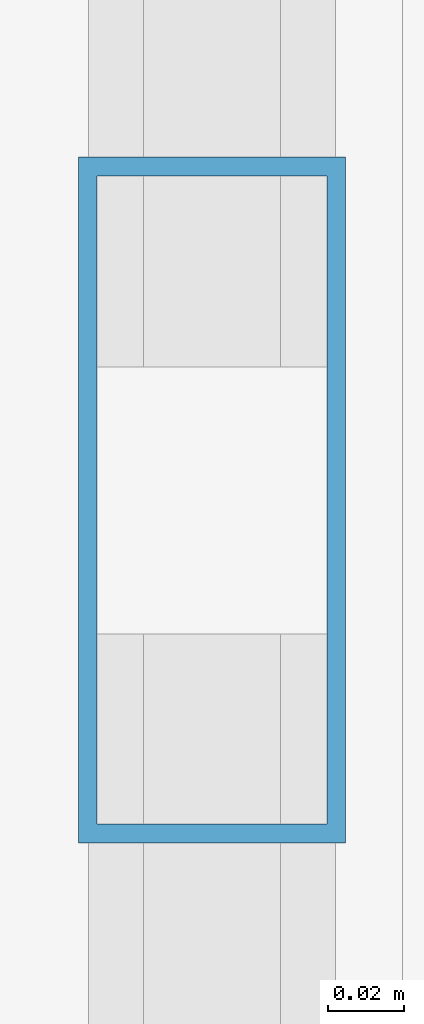
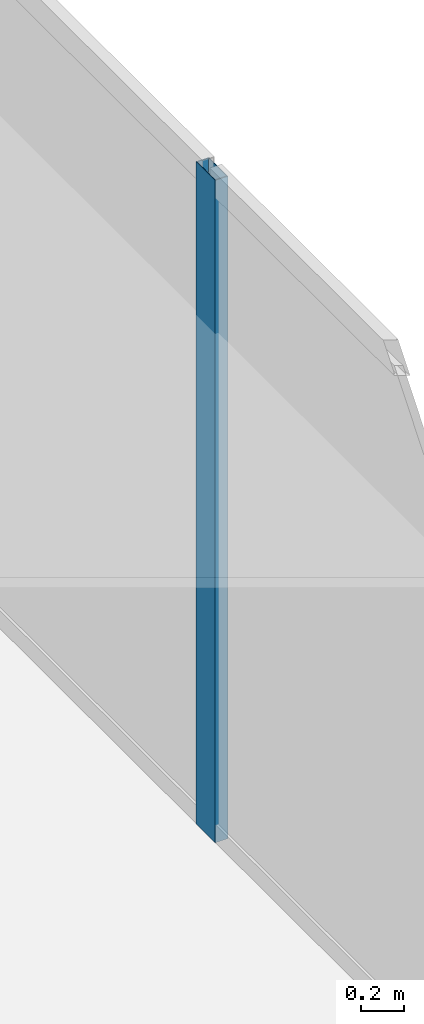
# One storey, part 24 of 35: 1 member, 1 element without a shape of its own.
"""IFC4 building model written with IfcOpenShell, lengths in metres."""

from ifc_helpers import new_model, si_unit, direction, frame, origin, origin_2d, place, context, subcontext, project, spatial, hollow_rectangle, extrude, source, transform, mapped, material, layer, layer_set, material_profile, profile_set, type_object, type_shapes, element, aggregate, save


model = new_model("IFC4")

# Units and contexts
model_context = context("Model", 3, precision=1e-05, world=origin(), true_north=direction((0.0, 1.0)))
body_context = subcontext(model_context, "Body", "Model", "MODEL_VIEW")
ifc_project = project(units=[si_unit("LENGTHUNIT", "METRE"), si_unit("AREAUNIT", "SQUARE_METRE"), si_unit("VOLUMEUNIT", "CUBIC_METRE"), si_unit("PLANEANGLEUNIT", "RADIAN"), si_unit("MASSUNIT", "GRAM", prefix="KILO")], contexts=[model_context])

# Site, building, storey
site_placement = place(None, origin())
site = spatial("IfcSite", under=ifc_project, at=site_placement, CompositionType="ELEMENT")
building_placement = place(site_placement, origin())
building = spatial("IfcBuilding", under=site, at=building_placement, Name="Haelvirn Gate Laboratories", CompositionType="ELEMENT")
storey_placement = place(building_placement, frame((0.0, 0.0, 234.199951171875)))
storey = spatial("IfcBuildingStorey", under=building, at=storey_placement, Name="L56", CompositionType="ELEMENT", Elevation=234.199951171875)

# Curtain wall, member
ifc_material_1 = material(Name="Anodised bronze unitised aluminium & triple low-E glass", Category="aluminium")
ifc_layer = layer(ifc_material_1, 0.176025390625, Name="CW-SYS-4")
ifc_layer_set = layer_set([ifc_layer], Name="Anodised bronze unitised aluminium & triple low-E glass")
curtain_wall_type = type_object("IfcCurtainWallType", Name="CW-SYS-4", PredefinedType="NOTDEFINED", material=ifc_layer_set)
curtain_wall_placement = place(storey_placement, origin())
curtain_wall = element("IfcCurtainWall", 1, at=curtain_wall_placement, inside=storey, type_object=curtain_wall_type, Name="L56 Unitised Curtain Wall CW-L56-P0-E07", PredefinedType="NOTDEFINED")
ifc_material_2 = material(Name="Extruded aluminium 6063-T6 (anodised bronze)", Category="aluminium")
ifc_material_profile = material_profile(ifc_material_2, hollow_rectangle(XDim=0.070068359375, YDim=0.179931640625, WallThickness=0.0048828125, at=origin_2d()), Name="CWM-180x70x5")
ifc_profile_set = profile_set([ifc_material_profile], Name="Extruded aluminium 6063-T6 (anodised bronze)")
member_type = type_object("IfcMemberType", Name="CWM-T180", PredefinedType="MULLION", material=ifc_profile_set)
shared_shape = source(origin(), body_context, "Body", "SweptSolid", [
    extrude(hollow_rectangle(XDim=0.070068359375, YDim=0.179931640625, WallThickness=0.0048828125, at=origin_2d()), origin(), (0.0, 0.0, 1.0), 3.800048828125),
])
type_shapes(member_type, [shared_shape])
member_placement = place(storey_placement, frame((70.699951171875, 24.300048828125, 0.0), z_axis=(0.0, 0.0, 1.0), x_axis=(-1.0, 0.0, 0.0)))
member = element("IfcMember", 2, at=member_placement, type_object=member_type, Name="CW4 mullion 2", PredefinedType="MULLION", context=body_context, shape_type="MappedRepresentation", body=[
    mapped(shared_shape, transform((0.0, 0.0, 0.0), scale=1.0)),
])
aggregate(curtain_wall, [member])

save(model, "model.ifc")
